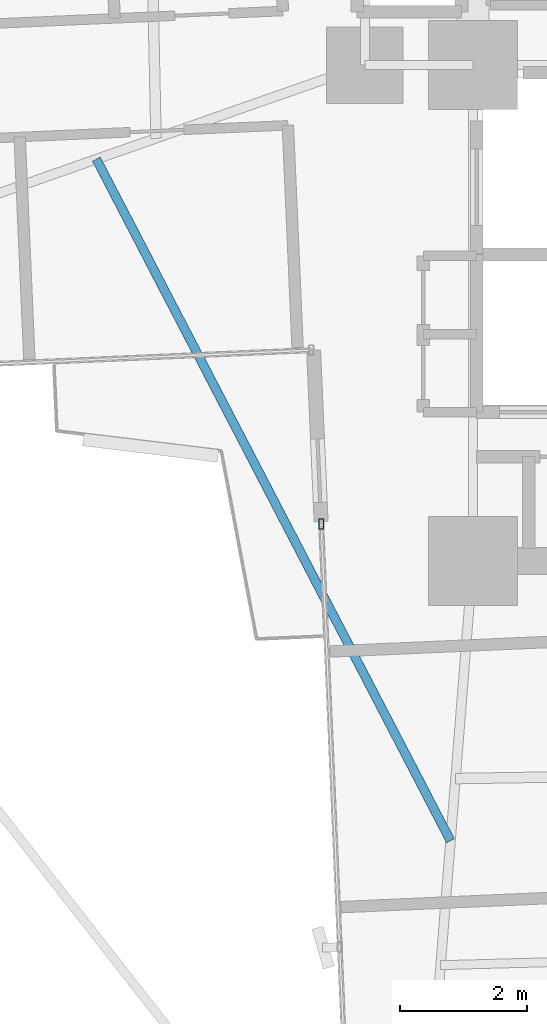
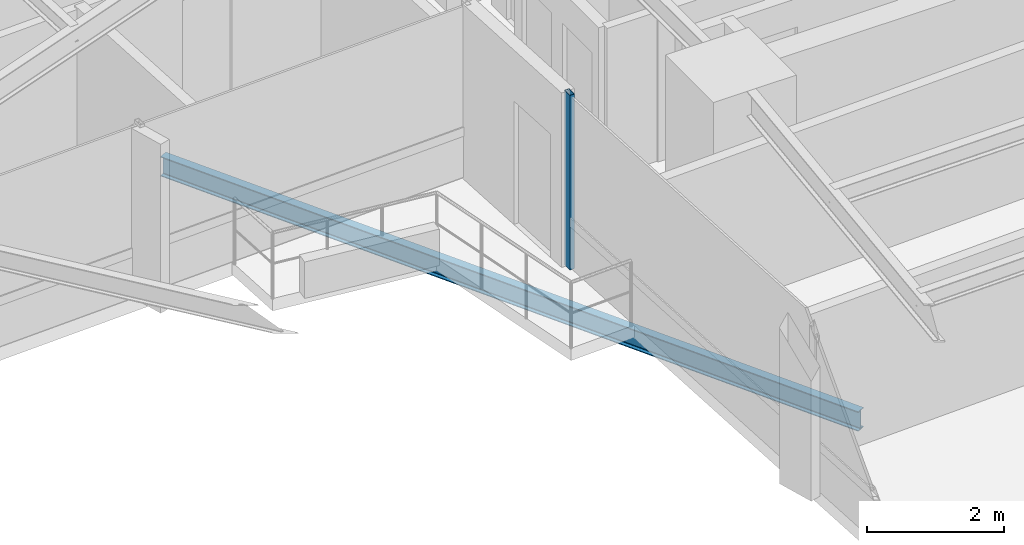
# One storey, part 5 of 27: 1 beam, 1 member, 1 element without a shape of its own.
"""IFC4 building model written with IfcOpenShell, lengths in metres."""

from ifc_helpers import new_model, si_unit, direction, frame, origin, origin_2d, place, context, subcontext, project, spatial, hollow_rectangle, i_section, extrude, source, transform, mapped, material, material_profile, profile_set, type_object, element, aggregate, save


model = new_model("IFC4")

# Units and contexts
model_context = context("Model", 3, precision=1e-05, world=origin(), true_north=direction((0.0, 1.0)))
body_context = subcontext(model_context, "Body", "Model", "MODEL_VIEW")
ifc_project = project(units=[si_unit("LENGTHUNIT", "METRE"), si_unit("AREAUNIT", "SQUARE_METRE"), si_unit("VOLUMEUNIT", "CUBIC_METRE"), si_unit("PLANEANGLEUNIT", "RADIAN"), si_unit("MASSUNIT", "GRAM", prefix="KILO")], contexts=[model_context])

# Site, building, storey
site_placement = place(None, origin())
site = spatial("IfcSite", under=ifc_project, at=site_placement, CompositionType="ELEMENT")
building_placement = place(site_placement, origin())
building = spatial("IfcBuilding", under=site, at=building_placement, Name="Sahyath Konkavel Grand Hotel", CompositionType="ELEMENT")
storey_placement = place(building_placement, frame((0.0, 0.0, 90.199951171875)))
storey = spatial("IfcBuildingStorey", under=building, at=storey_placement, Name="L24", CompositionType="ELEMENT", Elevation=90.199951171875)

# Curtain wall, member
ifc_material_1 = material(Name="Anodised Bronze Aluminium & Low-E Glazing", Category="aluminium")
curtain_wall_type = type_object("IfcCurtainWallType", Name="CW-ZONE2", PredefinedType="NOTDEFINED", material=ifc_material_1)
curtain_wall_placement = place(storey_placement, origin())
curtain_wall = element("IfcCurtainWall", 1, at=curtain_wall_placement, inside=storey, type_object=curtain_wall_type, Name="L24 Unitised Curtain Wall F24", PredefinedType="NOTDEFINED")
ifc_material_2 = material(Name="Anodised Bronze Aluminium", Category="aluminium")
ifc_material_profile_1 = material_profile(ifc_material_2, hollow_rectangle(XDim=0.080078125, YDim=0.159912109375, WallThickness=0.006103515625, at=origin_2d()), Name="RHS 160x80x6")
ifc_profile_set_1 = profile_set([ifc_material_profile_1], Name="Anodised Bronze Aluminium")
member_type = type_object("IfcMemberType", Name="CW-MUL-160", PredefinedType="MULLION", material=ifc_profile_set_1)
shared_shape_1 = source(origin(), body_context, "Body", "SweptSolid", [
    extrude(hollow_rectangle(XDim=0.080078125, YDim=0.159912109375, WallThickness=0.006103515625, at=origin_2d()), origin(), (0.0, 0.0, 1.0), 3.110107421875),
])
member_placement = place(storey_placement, frame((-6.186279296875, -9.618896484375, 0.0), z_axis=(0.0, 0.0, 1.0), x_axis=(1.0, 0.0, 0.0)))
member = element("IfcMember", 2, at=member_placement, type_object=member_type, Name="L24 Curtain Wall Mullion F24-0", PredefinedType="MULLION", context=body_context, shape_type="MappedRepresentation", body=[
    mapped(shared_shape_1, transform((0.0, 0.0, 0.0), scale=1.0)),
])
aggregate(curtain_wall, [member])

# Beam
ifc_material_3 = material(Name="Steel E350", Category="steel")
ifc_material_profile_2 = material_profile(ifc_material_3, i_section(OverallWidth=0.139892578125, OverallDepth=0.35009765625, WebThickness=0.008056640625, FlangeThickness=0.01416015625, FilletRadius=0.013916015625, at=origin_2d()), Name="ISMB 350")
ifc_profile_set_2 = profile_set([ifc_material_profile_2], Name="Steel E350")
beam_type = type_object("IfcBeamType", Name="BM-BALC-CANT", PredefinedType="BEAM", material=ifc_profile_set_2)
shared_shape_2 = source(origin(), body_context, "Body", "SweptSolid", [
    extrude(i_section(OverallWidth=0.139892578125, OverallDepth=0.35009765625, WebThickness=0.008056640625, FlangeThickness=0.01416015625, FilletRadius=0.013916015625, at=origin_2d()), origin(), (0.0, 0.0, 1.0), 12.085205078125),
])
beam_placement = place(storey_placement, frame((-9.7236328125, -3.87890625, -0.4150390625), z_axis=(0.461082384626, -0.887357331962, 0.0), x_axis=(0.887357331962, 0.461082384626, 0.0)))
element("IfcBeam", 3, at=beam_placement, inside=storey, type_object=beam_type, Name="L24 Balcony Cantilever Support Beam SW", PredefinedType="BEAM", context=body_context, shape_type="MappedRepresentation", body=[
    mapped(shared_shape_2, transform((0.0, 0.0, 0.0), scale=1.0)),
])

save(model, "model.ifc")
